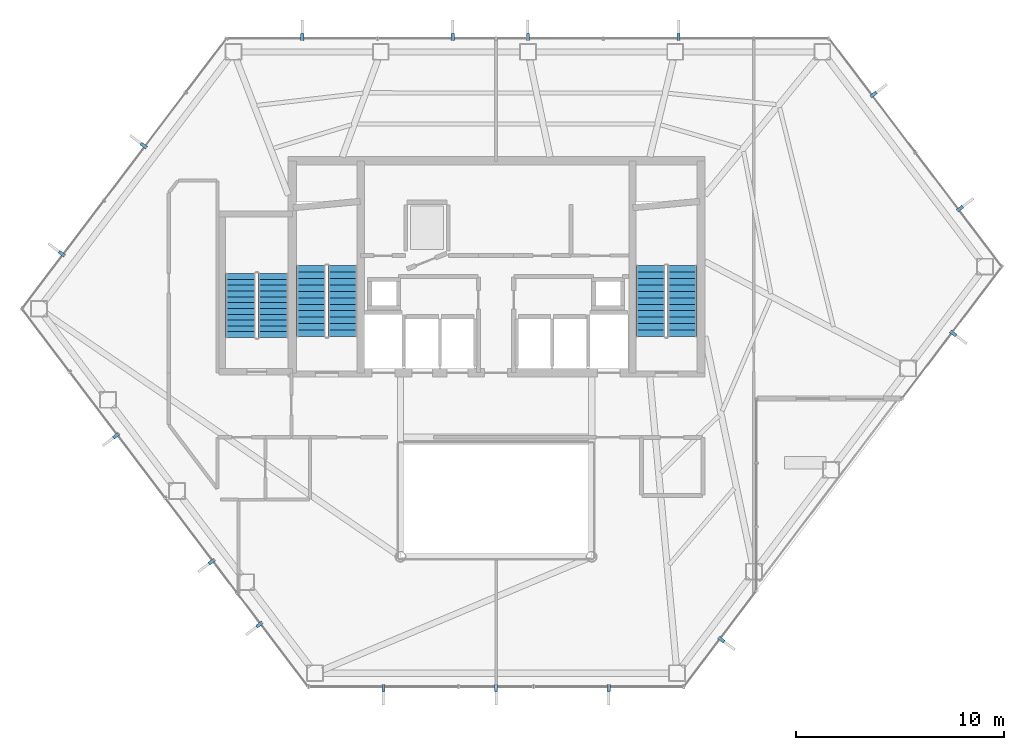
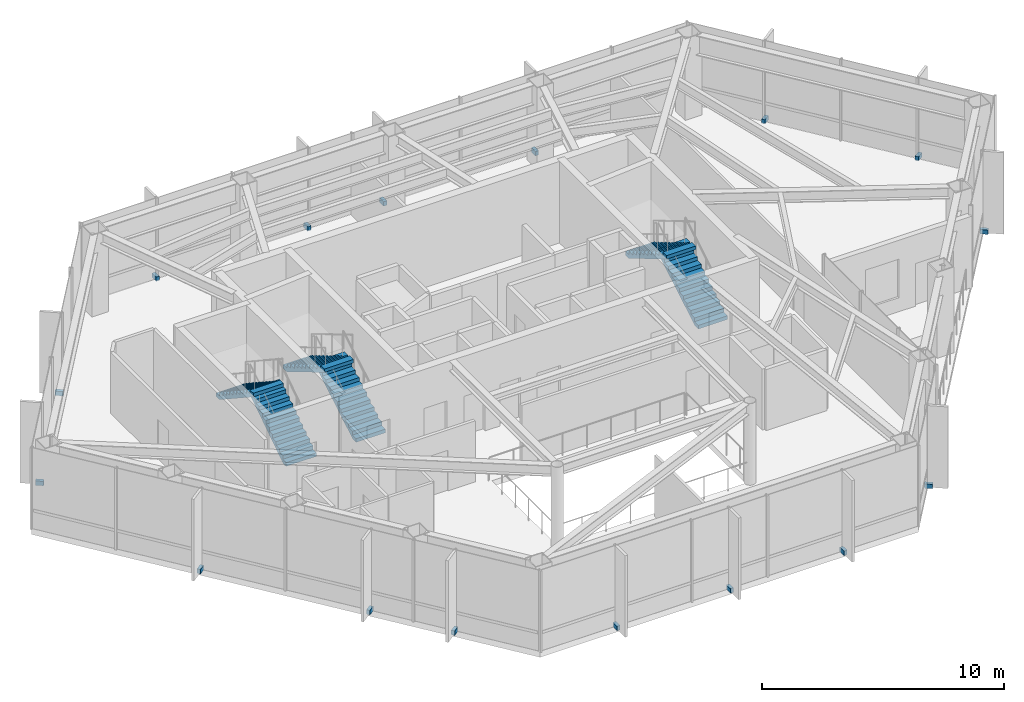
# One storey, part 24 of 27: 16 discrete accessories, 6 stair flights, 3 elements without a shape of their own.
"""IFC4 building model written with IfcOpenShell, lengths in metres."""

from ifc_helpers import new_model, si_unit, direction, frame, origin, origin_2d, place, context, subcontext, project, spatial, polyline, rectangle, outline, extrude, material, type_object, element, aggregate, save


model = new_model("IFC4")

# Units and contexts
model_context = context("Model", 3, precision=1e-05, world=origin(), true_north=direction((0.0, 1.0)))
body_context = subcontext(model_context, "Body", "Model", "MODEL_VIEW")
ifc_project = project(units=[si_unit("LENGTHUNIT", "METRE"), si_unit("AREAUNIT", "SQUARE_METRE"), si_unit("VOLUMEUNIT", "CUBIC_METRE"), si_unit("PLANEANGLEUNIT", "RADIAN"), si_unit("MASSUNIT", "GRAM", prefix="KILO")], contexts=[model_context])

# Site, building, storey
site_placement = place(None, origin())
site = spatial("IfcSite", under=ifc_project, at=site_placement, CompositionType="ELEMENT")
building_placement = place(site_placement, origin())
building = spatial("IfcBuilding", under=site, at=building_placement, Name="Zarrinselat Tower", CompositionType="ELEMENT")
storey_placement = place(building_placement, frame((0.0, 0.0, 114.580078125)))
storey = spatial("IfcBuildingStorey", under=building, at=storey_placement, Name="L27", CompositionType="ELEMENT", Elevation=114.580078125)

# Stair, stair flights
ifc_material_1 = material(Name="Concrete C40/50", Category="concrete")
stair_type_1 = type_object("IfcStairType", Name="STR-CORE-145", PredefinedType="HALF_TURN_STAIR", material=ifc_material_1)
stair_1_placement = place(storey_placement, origin())
stair_1 = element("IfcStair", 1, at=stair_1_placement, inside=storey, type_object=stair_type_1, Name="L27 Podium & Mid-Tower Exit Stair 3", PredefinedType="HALF_TURN_STAIR")
ifc_material_2 = material(Name="Concrete C40/50", Category="concrete")
stair_flight_type_1 = type_object("IfcStairFlightType", Name="STR-FLT-145", PredefinedType="STRAIGHT", material=ifc_material_2)
stair_flight_1_placement = place(storey_placement, frame((27.675048828125, 34.949951171875, 0.0), z_axis=(0.0, 0.0, 1.0), x_axis=(0.0, 1.0, 0.0)))
stair_flight_1 = element("IfcStairFlight", 2, at=stair_flight_1_placement, type_object=stair_flight_type_1, Name="ST-3 flight 1", NumberOfRisers=12, NumberOfTreads=11, PredefinedType="STRAIGHT", RiserHeight=0.184166667, TreadLength=0.28, context=body_context, shape_type="SweptSolid", body=[
    extrude(outline(polyline([(0.0, 0.0), (0.0, 0.18408203125), (0.280029296875, 0.18408203125), (0.280029296875, 0.368408203125), (0.56005859375, 0.368408203125), (0.56005859375, 0.552490234375), (0.840087890625, 0.552490234375), (0.840087890625, 0.736572265625), (1.1201171875, 0.736572265625), (1.1201171875, 0.9208984375), (1.39990234375, 0.9208984375), (1.39990234375, 1.10498046875), (1.679931640625, 1.10498046875), (1.679931640625, 1.2890625), (1.9599609375, 1.2890625), (1.9599609375, 1.473388671875), (2.239990234375, 1.473388671875), (2.239990234375, 1.657470703125), (2.52001953125, 1.657470703125), (2.52001953125, 1.841552734375), (2.800048828125, 1.841552734375), (2.800048828125, 2.02587890625), (3.080078125, 2.02587890625), (3.080078125, 2.2099609375), (3.080078125, 1.846435546875), (0.272705078125, 0.0), (0.0, 0.0)])), frame((0.0, 0.72509765625, 0.0), z_axis=(0.0, -1.0, 0.0), x_axis=(1.0, 0.0, 0.0)), (0.0, 0.0, 1.0), 1.449951171875),
])
stair_flight_2_placement = place(storey_placement, frame((26.10498046875, 38.030029296875, 2.2099609375), z_axis=(0.0, 0.0, 1.0), x_axis=(0.0, -1.0, 0.0)))
stair_flight_2 = element("IfcStairFlight", 3, at=stair_flight_2_placement, type_object=stair_flight_type_1, Name="ST-3 flight 2", NumberOfRisers=12, NumberOfTreads=11, PredefinedType="STRAIGHT", RiserHeight=0.184166667, TreadLength=0.28, context=body_context, shape_type="SweptSolid", body=[
    extrude(outline(polyline([(0.0, 0.0), (0.0, 0.18408203125), (0.280029296875, 0.18408203125), (0.280029296875, 0.368408203125), (0.56005859375, 0.368408203125), (0.56005859375, 0.552490234375), (0.840087890625, 0.552490234375), (0.840087890625, 0.736572265625), (1.1201171875, 0.736572265625), (1.1201171875, 0.9208984375), (1.39990234375, 0.9208984375), (1.39990234375, 1.10498046875), (1.679931640625, 1.10498046875), (1.679931640625, 1.2890625), (1.9599609375, 1.2890625), (1.9599609375, 1.473388671875), (2.239990234375, 1.473388671875), (2.239990234375, 1.657470703125), (2.52001953125, 1.657470703125), (2.52001953125, 1.841552734375), (2.800048828125, 1.841552734375), (2.800048828125, 2.02587890625), (3.080078125, 2.02587890625), (3.080078125, 2.2099609375), (3.080078125, 1.846435546875), (0.272705078125, 0.0), (0.0, 0.0)])), frame((0.0, 0.72509765625, 0.0), z_axis=(0.0, -1.0, 0.0), x_axis=(1.0, 0.0, 0.0)), (0.0, 0.0, 1.0), 1.449951171875),
])
aggregate(stair_1, [stair_flight_1, stair_flight_2])

ifc_material_3 = material(Name="Concrete C40/50", Category="concrete")
stair_type_2 = type_object("IfcStairType", Name="STR-CORE-155", PredefinedType="HALF_TURN_STAIR", material=ifc_material_3)
stair_2_placement = place(storey_placement, origin())
stair_2 = element("IfcStair", 4, at=stair_2_placement, inside=storey, type_object=stair_type_2, Name="L27 Core Exit Stair 1", PredefinedType="HALF_TURN_STAIR")
ifc_material_4 = material(Name="Concrete C40/50", Category="concrete")
stair_flight_type_2 = type_object("IfcStairFlightType", Name="STR-FLT-155", PredefinedType="STRAIGHT", material=ifc_material_4)
stair_flight_3_placement = place(storey_placement, frame((31.02001953125, 35.0, 0.0), z_axis=(0.0, 0.0, 1.0), x_axis=(0.0, 1.0, 0.0)))
stair_flight_3 = element("IfcStairFlight", 5, at=stair_flight_3_placement, type_object=stair_flight_type_2, Name="ST-1 flight 1", NumberOfRisers=12, NumberOfTreads=11, PredefinedType="STRAIGHT", RiserHeight=0.184166667, TreadLength=0.31, context=body_context, shape_type="SweptSolid", body=[
    extrude(outline(polyline([(0.0, 0.0), (0.0, 0.18408203125), (0.31005859375, 0.18408203125), (0.31005859375, 0.368408203125), (0.6201171875, 0.368408203125), (0.6201171875, 0.552490234375), (0.929931640625, 0.552490234375), (0.929931640625, 0.736572265625), (1.239990234375, 0.736572265625), (1.239990234375, 0.9208984375), (1.550048828125, 0.9208984375), (1.550048828125, 1.10498046875), (1.860107421875, 1.10498046875), (1.860107421875, 1.2890625), (2.169921875, 1.2890625), (2.169921875, 1.473388671875), (2.47998046875, 1.473388671875), (2.47998046875, 1.657470703125), (2.7900390625, 1.657470703125), (2.7900390625, 1.841552734375), (3.10009765625, 1.841552734375), (3.10009765625, 2.02587890625), (3.409912109375, 2.02587890625), (3.409912109375, 2.2099609375), (3.409912109375, 1.8515625), (0.29345703125, 0.0), (0.0, 0.0)])), frame((0.0, 0.699951171875, 0.0), z_axis=(0.0, -1.0, 0.0), x_axis=(1.0, 0.0, 0.0)), (0.0, 0.0, 1.0), 1.39990234375),
])
stair_flight_4_placement = place(storey_placement, frame((29.5, 38.409912109375, 2.2099609375), z_axis=(0.0, 0.0, 1.0), x_axis=(0.0, -1.0, 0.0)))
stair_flight_4 = element("IfcStairFlight", 6, at=stair_flight_4_placement, type_object=stair_flight_type_2, Name="ST-1 flight 2", NumberOfRisers=12, NumberOfTreads=11, PredefinedType="STRAIGHT", RiserHeight=0.184166667, TreadLength=0.31, context=body_context, shape_type="SweptSolid", body=[
    extrude(outline(polyline([(0.0, 0.0), (0.0, 0.18408203125), (0.31005859375, 0.18408203125), (0.31005859375, 0.368408203125), (0.6201171875, 0.368408203125), (0.6201171875, 0.552490234375), (0.929931640625, 0.552490234375), (0.929931640625, 0.736572265625), (1.239990234375, 0.736572265625), (1.239990234375, 0.9208984375), (1.550048828125, 0.9208984375), (1.550048828125, 1.10498046875), (1.860107421875, 1.10498046875), (1.860107421875, 1.2890625), (2.169921875, 1.2890625), (2.169921875, 1.473388671875), (2.47998046875, 1.473388671875), (2.47998046875, 1.657470703125), (2.7900390625, 1.657470703125), (2.7900390625, 1.841552734375), (3.10009765625, 1.841552734375), (3.10009765625, 2.02587890625), (3.409912109375, 2.02587890625), (3.409912109375, 2.2099609375), (3.409912109375, 1.8515625), (0.29345703125, 0.0), (0.0, 0.0)])), frame((0.0, 0.699951171875, 0.0), z_axis=(0.0, -1.0, 0.0), x_axis=(1.0, 0.0, 0.0)), (0.0, 0.0, 1.0), 1.39990234375),
])
aggregate(stair_2, [stair_flight_3, stair_flight_4])

stair_3_placement = place(storey_placement, origin())
stair_3 = element("IfcStair", 7, at=stair_3_placement, inside=storey, type_object=stair_type_2, Name="L27 Core Exit Stair 2", PredefinedType="HALF_TURN_STAIR")
stair_flight_5_placement = place(storey_placement, frame((47.360107421875, 35.0, 0.0), z_axis=(0.0, 0.0, 1.0), x_axis=(0.0, 1.0, 0.0)))
stair_flight_5 = element("IfcStairFlight", 8, at=stair_flight_5_placement, type_object=stair_flight_type_2, Name="ST-2 flight 1", NumberOfRisers=12, NumberOfTreads=11, PredefinedType="STRAIGHT", RiserHeight=0.184166667, TreadLength=0.31, context=body_context, shape_type="SweptSolid", body=[
    extrude(outline(polyline([(0.0, 0.0), (0.0, 0.18408203125), (0.31005859375, 0.18408203125), (0.31005859375, 0.368408203125), (0.6201171875, 0.368408203125), (0.6201171875, 0.552490234375), (0.929931640625, 0.552490234375), (0.929931640625, 0.736572265625), (1.239990234375, 0.736572265625), (1.239990234375, 0.9208984375), (1.550048828125, 0.9208984375), (1.550048828125, 1.10498046875), (1.860107421875, 1.10498046875), (1.860107421875, 1.2890625), (2.169921875, 1.2890625), (2.169921875, 1.473388671875), (2.47998046875, 1.473388671875), (2.47998046875, 1.657470703125), (2.7900390625, 1.657470703125), (2.7900390625, 1.841552734375), (3.10009765625, 1.841552734375), (3.10009765625, 2.02587890625), (3.409912109375, 2.02587890625), (3.409912109375, 2.2099609375), (3.409912109375, 1.8515625), (0.29345703125, 0.0), (0.0, 0.0)])), frame((0.0, 0.699951171875, 0.0), z_axis=(0.0, -1.0, 0.0), x_axis=(1.0, 0.0, 0.0)), (0.0, 0.0, 1.0), 1.39990234375),
])
stair_flight_6_placement = place(storey_placement, frame((45.840087890625, 38.409912109375, 2.2099609375), z_axis=(0.0, 0.0, 1.0), x_axis=(0.0, -1.0, 0.0)))
stair_flight_6 = element("IfcStairFlight", 9, at=stair_flight_6_placement, type_object=stair_flight_type_2, Name="ST-2 flight 2", NumberOfRisers=12, NumberOfTreads=11, PredefinedType="STRAIGHT", RiserHeight=0.184166667, TreadLength=0.31, context=body_context, shape_type="SweptSolid", body=[
    extrude(outline(polyline([(0.0, 0.0), (0.0, 0.18408203125), (0.31005859375, 0.18408203125), (0.31005859375, 0.368408203125), (0.6201171875, 0.368408203125), (0.6201171875, 0.552490234375), (0.929931640625, 0.552490234375), (0.929931640625, 0.736572265625), (1.239990234375, 0.736572265625), (1.239990234375, 0.9208984375), (1.550048828125, 0.9208984375), (1.550048828125, 1.10498046875), (1.860107421875, 1.10498046875), (1.860107421875, 1.2890625), (2.169921875, 1.2890625), (2.169921875, 1.473388671875), (2.47998046875, 1.473388671875), (2.47998046875, 1.657470703125), (2.7900390625, 1.657470703125), (2.7900390625, 1.841552734375), (3.10009765625, 1.841552734375), (3.10009765625, 2.02587890625), (3.409912109375, 2.02587890625), (3.409912109375, 2.2099609375), (3.409912109375, 1.8515625), (0.29345703125, 0.0), (0.0, 0.0)])), frame((0.0, 0.699951171875, 0.0), z_axis=(0.0, -1.0, 0.0), x_axis=(1.0, 0.0, 0.0)), (0.0, 0.0, 1.0), 1.39990234375),
])
aggregate(stair_3, [stair_flight_5, stair_flight_6])

# Discrete accessories
ifc_material_5 = material(Name="Steel S355J2", Category="steel")
discrete_accessory_type = type_object("IfcDiscreteAccessoryType", Name="ACC-FIN-BRACKET", PredefinedType="BRACKET", material=ifc_material_5)
for number, where, z_axis, x_axis, name in (
    (10, (43.8193359375, 18.0771484375, -0.05029296875), (0.0, 0.0, 1.0), (0.0, -1.0, 0.0), "L27 Fin Fixing Bracket CW-L27-E01-01"),
    (11, (38.39990234375, 18.0771484375, -0.05029296875), (0.0, 0.0, 1.0), (0.0, -1.0, 0.0), "L27 Fin Fixing Bracket CW-L27-E01-03"),
    (12, (32.980712890625, 18.0771484375, -0.05029296875), (0.0, 0.0, 1.0), (0.0, -1.0, 0.0), "L27 Fin Fixing Bracket CW-L27-E01-05"),
    (13, (27.015380859375, 21.135986328125, -0.05029296875), (0.0, 0.0, 1.0), (-0.79709189246, -0.603858025511, 0.0), "L27 Fin Fixing Bracket CW-L27-E02-01"),
    (14, (24.718994140625, 24.16748046875, -0.05029296875), (0.0, 0.0, 1.0), (-0.79709189246, -0.603858025511, 0.0), "L27 Fin Fixing Bracket CW-L27-E02-03"),
    (15, (20.1259765625, 30.22998046875, -0.05029296875), (0.0, 0.0, 1.0), (-0.79709189246, -0.603858025511, 0.0), "L27 Fin Fixing Bracket CW-L27-E02-05"),
    (16, (17.504150390625, 38.979248046875, -0.05029296875), (0.0, 0.0, 1.0), (-0.797093041834, 0.603856508336, 0.0), "L27 Fin Fixing Bracket CW-L27-E03-01"),
    (17, (21.4462890625, 44.18310546875, -0.05029296875), (0.0, 0.0, 1.0), (-0.797093041834, 0.603856508336, 0.0), "L27 Fin Fixing Bracket CW-L27-E03-03"),
    (18, (29.067138671875, 49.414306640625, -0.05029296875), (0.0, 0.0, 1.0), (0.0, 1.0, 0.0), "L27 Fin Fixing Bracket CW-L27-E04-01"),
    (19, (36.3125, 49.414306640625, -0.05029296875), (0.0, 0.0, 1.0), (0.0, 1.0, 0.0), "L27 Fin Fixing Bracket CW-L27-E04-03"),
    (20, (39.935302734375, 49.414306640625, -0.05029296875), (0.0, 0.0, 1.0), (0.0, 1.0, 0.0), "L27 Fin Fixing Bracket CW-L27-E04-05"),
    (21, (47.180908203125, 49.414306640625, -0.05029296875), (0.0, 0.0, 1.0), (0.0, 1.0, 0.0), "L27 Fin Fixing Bracket CW-L27-E04-07"),
    (22, (56.56201171875, 46.64111328125, -0.05029296875), (0.0, 0.0, 1.0), (0.797093100885, 0.603856430388, 0.0), "L27 Fin Fixing Bracket CW-L27-E05-01"),
    (23, (60.72216796875, 41.149658203125, -0.05029296875), (0.0, 0.0, 1.0), (0.797093100885, 0.603856430388, 0.0), "L27 Fin Fixing Bracket CW-L27-E05-03"),
    (24, (60.398193359375, 35.14599609375, -0.05029296875), (0.0, 0.0, 1.0), (0.79709007765, -0.60386042105, 0.0), "L27 Fin Fixing Bracket CW-L27-E06-01"),
    (25, (49.23779296875, 20.414306640625, -0.05029296875), (0.0, 0.0, 1.0), (0.79709007765, -0.60386042105, 0.0), "L27 Fin Fixing Bracket CW-L27-E25-01"),
):
    element("IfcDiscreteAccessory", number, at=place(storey_placement, frame(where, z_axis=z_axis, x_axis=x_axis)), inside=storey, type_object=discrete_accessory_type, Name=name, PredefinedType="BRACKET", context=body_context, shape_type="SweptSolid", body=[
        extrude(rectangle(XDim=0.340087890625, YDim=0.159912109375, at=origin_2d()), origin(), (0.0, 0.0, 1.0), 0.219970703125),
    ])

save(model, "model.ifc")
